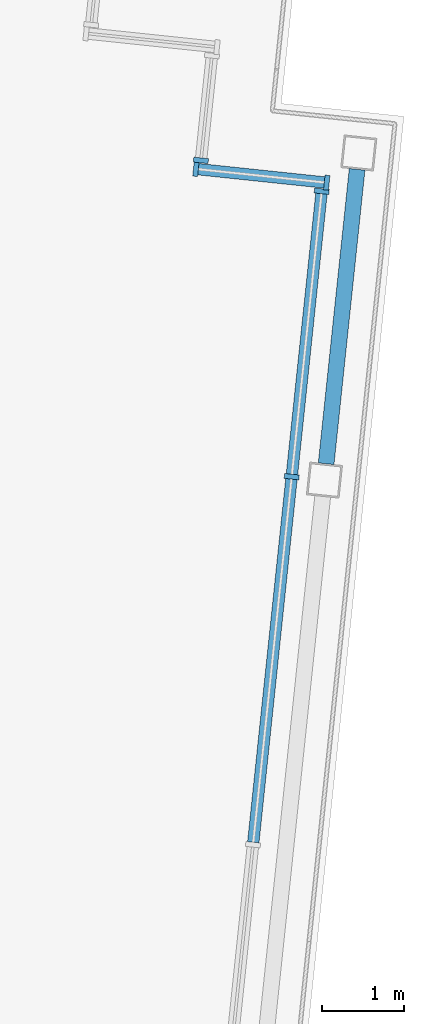
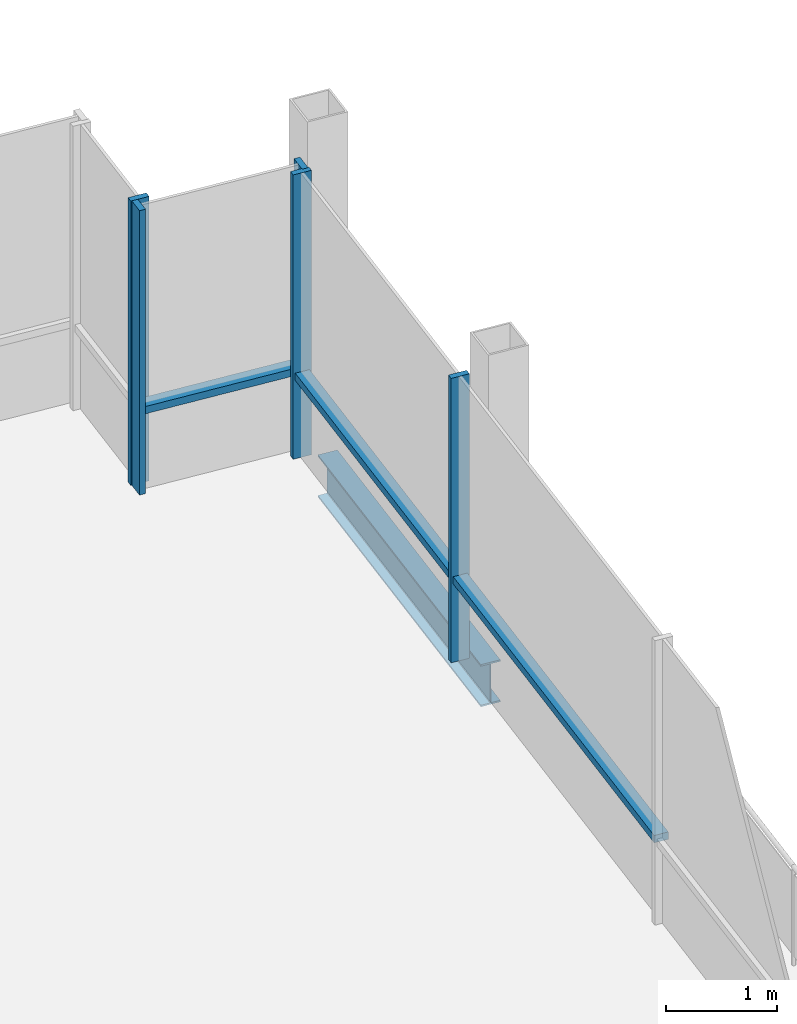
# One storey, part 6 of 15: 8 members, 1 beam, 3 elements without a shape of their own.
"""IFC4 building model written with IfcOpenShell, lengths in metres."""

from ifc_helpers import new_model, si_unit, direction, frame, origin, origin_2d, place, context, subcontext, project, spatial, rectangle, i_section, extrude, material, material_profile, profile_set, type_object, element, aggregate, save


model = new_model("IFC4")

# Units and contexts
model_context = context("Model", 3, precision=1e-05, world=origin(), true_north=direction((0.0, 1.0)))
body_context = subcontext(model_context, "Body", "Model", "MODEL_VIEW")
ifc_project = project(units=[si_unit("LENGTHUNIT", "METRE"), si_unit("AREAUNIT", "SQUARE_METRE"), si_unit("VOLUMEUNIT", "CUBIC_METRE"), si_unit("PLANEANGLEUNIT", "RADIAN"), si_unit("MASSUNIT", "GRAM", prefix="KILO")], contexts=[model_context])

# Site, building, storey
site_placement = place(None, origin())
site = spatial("IfcSite", under=ifc_project, at=site_placement, CompositionType="ELEMENT")
building_placement = place(site_placement, origin())
building = spatial("IfcBuilding", under=site, at=building_placement, Name="Vidyagriha Tower", CompositionType="ELEMENT")
storey_placement = place(building_placement, frame((0.0, 0.0, 291.5)))
storey = spatial("IfcBuildingStorey", under=building, at=storey_placement, Name="L75", CompositionType="ELEMENT", Elevation=291.5)

# Beam
ifc_material_1 = material(Name="Steel ASTM A992 Grade 50", Category="steel")
ifc_material_profile_1 = material_profile(ifc_material_1, i_section(OverallWidth=0.19189453125, OverallDepth=0.46240234375, WebThickness=0.010498046875, FlangeThickness=0.017578125, at=origin_2d()), Name="W18X60")
ifc_profile_set_1 = profile_set([ifc_material_profile_1], Name="Steel ASTM A992 Grade 50")
beam_type = type_object("IfcBeamType", Name="Edge beam W18X60", PredefinedType="SPANDREL", material=ifc_profile_set_1)
beam_placement = place(storey_placement, frame((32.429443359375, 9.623779296875, -0.51123046875), z_axis=(0.104571819597, 0.994517337479, 0.0), x_axis=(-0.994517337479, 0.104571819597, 0.0)))
element("IfcBeam", 1, at=beam_placement, inside=storey, type_object=beam_type, Name="st-beam-L75-E17", PredefinedType="SPANDREL", context=body_context, shape_type="SweptSolid", body=[
    extrude(i_section(OverallWidth=0.19189453125, OverallDepth=0.46240234375, WebThickness=0.010498046875, FlangeThickness=0.017578125, at=origin_2d()), origin(), (0.0, 0.0, 1.0), 3.60009765625),
])

# Curtain wall, members
ifc_material_2 = material(Name="Aluminium and glass curtain wall", Category="aluminium")
curtain_wall_type = type_object("IfcCurtainWallType", Name="Lantern glazing wall", PredefinedType="USERDEFINED", material=ifc_material_2)
curtain_wall_1_placement = place(storey_placement, origin())
curtain_wall_1 = element("IfcCurtainWall", 2, at=curtain_wall_1_placement, inside=storey, type_object=curtain_wall_type, Name="CW4 lantern glazing", ObjectType="STICK GLAZING", PredefinedType="USERDEFINED")
ifc_material_3 = material(Name="Aluminium black anodised", Category="aluminium")
ifc_material_profile_2 = material_profile(ifc_material_3, rectangle(XDim=0.179931640625, YDim=0.06005859375, at=origin_2d()), Name="Mullion 60x180 black aluminium")
ifc_profile_set_2 = profile_set([ifc_material_profile_2], Name="Aluminium black anodised")
member_type_1 = type_object("IfcMemberType", Name="Mullion 60x180 black aluminium", PredefinedType="MULLION", material=ifc_profile_set_2)
member_1_placement = place(storey_placement, frame((32.436767578125, 13.041748046875, 0.0), z_axis=(0.0, 0.0, 1.0), x_axis=(-0.104465258184, -0.99452853646, 0.0)))
member_1 = element("IfcMember", 3, at=member_1_placement, type_object=member_type_1, Name="CW4 mullion 1", PredefinedType="MULLION", context=body_context, shape_type="SweptSolid", body=[
    extrude(rectangle(XDim=0.179931640625, YDim=0.06005859375, at=origin_2d()), origin(), (0.0, 0.0, 1.0), 3.1201171875),
])
member_2_placement = place(storey_placement, frame((30.845703125, 13.208740234375, 0.0), z_axis=(0.0, 0.0, 1.0), x_axis=(-0.104465258184, -0.99452853646, 0.0)))
member_2 = element("IfcMember", 4, at=member_2_placement, type_object=member_type_1, Name="CW4 mullion 2", PredefinedType="MULLION", context=body_context, shape_type="SweptSolid", body=[
    extrude(rectangle(XDim=0.179931640625, YDim=0.06005859375, at=origin_2d()), origin(), (0.0, 0.0, 1.0), 3.1201171875),
])

# Curtain wall, member
curtain_wall_2_placement = place(storey_placement, origin())
curtain_wall_2 = element("IfcCurtainWall", 5, at=curtain_wall_2_placement, inside=storey, type_object=curtain_wall_type, Name="CW4 lantern glazing", ObjectType="STICK GLAZING", PredefinedType="USERDEFINED")
member_3_placement = place(storey_placement, frame((30.906982421875, 13.31298828125, 0.0), z_axis=(0.0, 0.0, 1.0), x_axis=(-0.994527511623, 0.104475014354, 0.0)))
member_3 = element("IfcMember", 6, at=member_3_placement, type_object=member_type_1, Name="CW4 mullion 1", PredefinedType="MULLION", context=body_context, shape_type="SweptSolid", body=[
    extrude(rectangle(XDim=0.179931640625, YDim=0.06005859375, at=origin_2d()), origin(), (0.0, 0.0, 1.0), 3.1201171875),
])
aggregate(curtain_wall_2, [member_3])

# Curtain wall, members
curtain_wall_3_placement = place(storey_placement, origin())
curtain_wall_3 = element("IfcCurtainWall", 7, at=curtain_wall_3_placement, inside=storey, type_object=curtain_wall_type, Name="CW4 lantern glazing", ObjectType="STICK GLAZING", PredefinedType="USERDEFINED")
member_4_placement = place(storey_placement, frame((32.0107421875, 9.466552734375, 0.0), z_axis=(0.0, 0.0, 1.0), x_axis=(-0.994522059728, 0.104526899479, 0.0)))
member_4 = element("IfcMember", 8, at=member_4_placement, type_object=member_type_1, Name="CW4 mullion 6", PredefinedType="MULLION", context=body_context, shape_type="SweptSolid", body=[
    extrude(rectangle(XDim=0.179931640625, YDim=0.06005859375, at=origin_2d()), origin(), (0.0, 0.0, 1.0), 3.1201171875),
])
member_5_placement = place(storey_placement, frame((32.37548828125, 12.9375, 0.0), z_axis=(0.0, 0.0, 1.0), x_axis=(-0.994522059728, 0.104526899479, 0.0)))
member_5 = element("IfcMember", 9, at=member_5_placement, type_object=member_type_1, Name="CW4 mullion 7", PredefinedType="MULLION", context=body_context, shape_type="SweptSolid", body=[
    extrude(rectangle(XDim=0.179931640625, YDim=0.06005859375, at=origin_2d()), origin(), (0.0, 0.0, 1.0), 3.1201171875),
])

# Member
ifc_material_4 = material(Name="Aluminium black anodised", Category="aluminium")
ifc_material_profile_3 = material_profile(ifc_material_4, rectangle(XDim=0.139892578125, YDim=0.080078125, at=origin_2d()), Name="Transom 80x140 black aluminium")
ifc_profile_set_3 = profile_set([ifc_material_profile_3], Name="Aluminium black anodised")
member_type_2 = type_object("IfcMemberType", Name="Transom 80x140 black aluminium", PredefinedType="USERDEFINED", material=ifc_profile_set_3)
member_6_placement = place(storey_placement, frame((32.406982421875, 13.044677734375, 0.89990234375), z_axis=(-0.994527149453, 0.104478461899, 0.0), x_axis=(-0.104478461899, -0.994527149453, 0.0)))
member_6 = element("IfcMember", 10, at=member_6_placement, type_object=member_type_2, Name="CW4 transom 1.1", ObjectType="TRANSOM", PredefinedType="USERDEFINED", context=body_context, shape_type="SweptSolid", body=[
    extrude(rectangle(XDim=0.139892578125, YDim=0.080078125, at=origin_2d()), origin(), (0.0, 0.0, 1.0), 1.5400390625),
])

aggregate(curtain_wall_1, [member_1, member_2, member_6])

member_7_placement = place(storey_placement, frame((31.54345703125, 5.02099609375, 0.89990234375), z_axis=(0.104527359082, 0.994522011422, 0.0), x_axis=(-0.994522011422, 0.104527359082, 0.0)))
member_7 = element("IfcMember", 11, at=member_7_placement, type_object=member_type_2, Name="CW4 transom 5.1", ObjectType="TRANSOM", PredefinedType="USERDEFINED", context=body_context, shape_type="SweptSolid", body=[
    extrude(rectangle(XDim=0.139892578125, YDim=0.080078125, at=origin_2d()), origin(), (0.0, 0.0, 1.0), 4.440185546875),
])

member_8_placement = place(storey_placement, frame((32.013916015625, 9.496337890625, 0.89990234375), z_axis=(0.104484712758, 0.994526492759, 0.0), x_axis=(-0.994526492759, 0.104484712758, 0.0)))
member_8 = element("IfcMember", 12, at=member_8_placement, type_object=member_type_2, Name="CW4 transom 6.1", ObjectType="TRANSOM", PredefinedType="USERDEFINED", context=body_context, shape_type="SweptSolid", body=[
    extrude(rectangle(XDim=0.139892578125, YDim=0.080078125, at=origin_2d()), origin(), (0.0, 0.0, 1.0), 3.43017578125),
])

aggregate(curtain_wall_3, [member_4, member_5, member_7, member_8])

save(model, "model.ifc")
